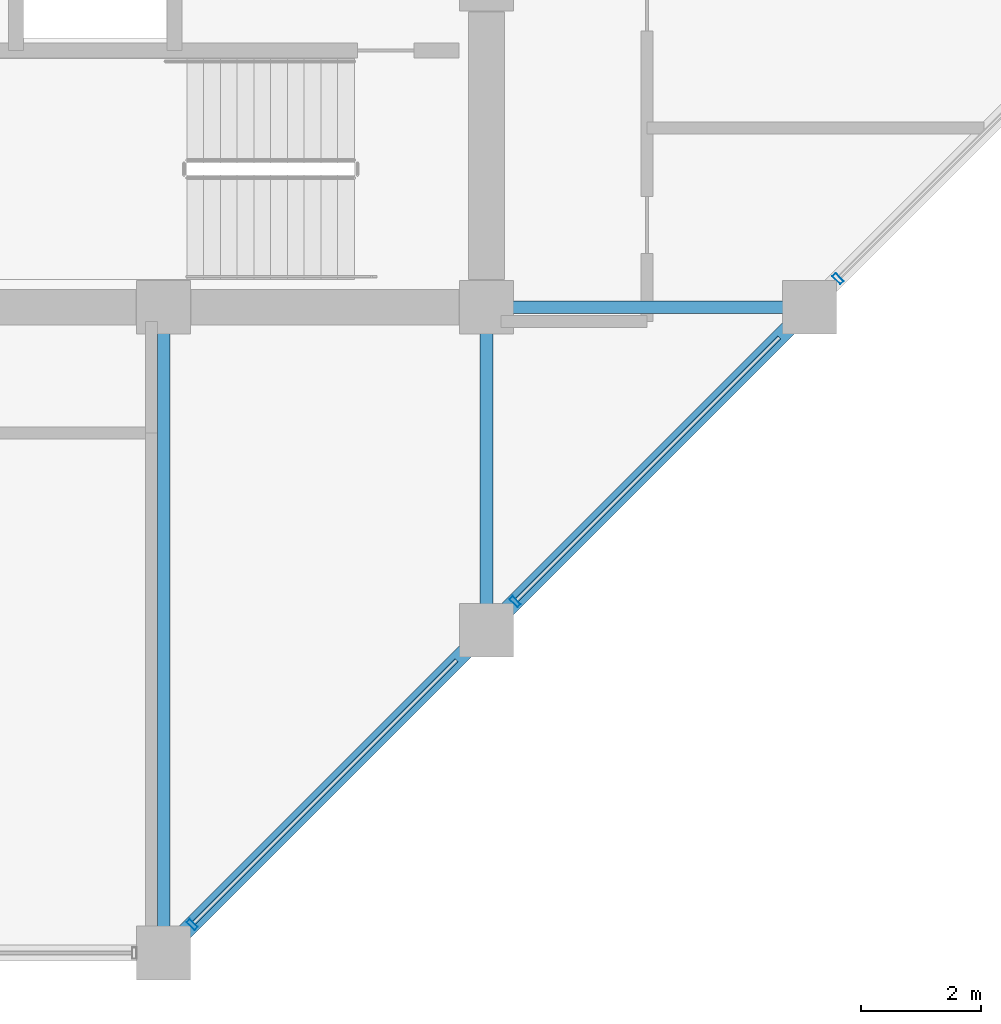
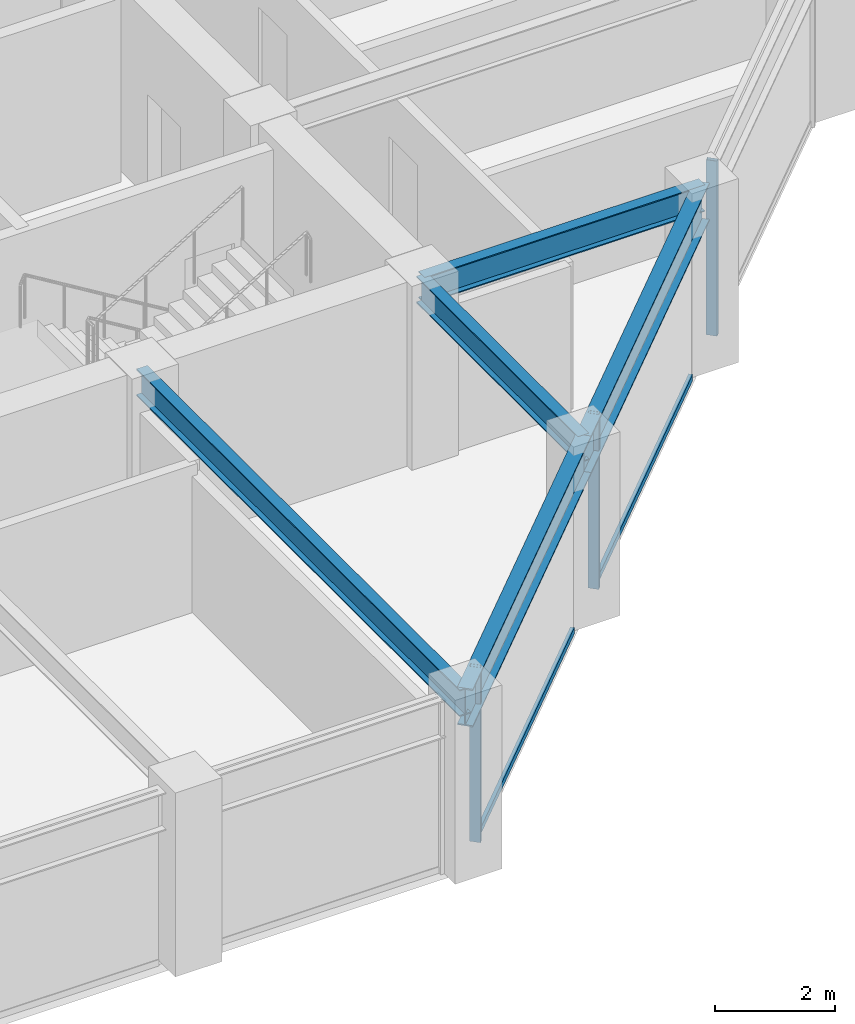
# One storey, part 12 of 32: 5 beams, 5 members, 1 element without a shape of its own.
"""IFC4 building model written with IfcOpenShell, lengths in metres."""

from ifc_helpers import new_model, si_unit, direction, frame, origin, origin_2d, place, context, subcontext, project, spatial, hollow_rectangle, i_section, extrude, material, layer, layer_set, material_profile, profile_set, type_object, element, aggregate, save


model = new_model("IFC4")

# Units and contexts
model_context = context("Model", 3, precision=1e-05, world=origin(), true_north=direction((0.0, 1.0)))
body_context = subcontext(model_context, "Body", "Model", "MODEL_VIEW")
ifc_project = project(units=[si_unit("LENGTHUNIT", "METRE"), si_unit("AREAUNIT", "SQUARE_METRE"), si_unit("VOLUMEUNIT", "CUBIC_METRE"), si_unit("PLANEANGLEUNIT", "RADIAN"), si_unit("MASSUNIT", "GRAM", prefix="KILO")], contexts=[model_context])

# Site, building, storey
site_placement = place(None, origin())
site = spatial("IfcSite", under=ifc_project, at=site_placement, CompositionType="ELEMENT")
building_placement = place(site_placement, origin())
building = spatial("IfcBuilding", under=site, at=building_placement, Name="Surkhivell Harbour Commons", CompositionType="ELEMENT")
storey_placement = place(building_placement, frame((0.0, 0.0, 212.25)))
storey = spatial("IfcBuildingStorey", under=building, at=storey_placement, Name="L55", CompositionType="ELEMENT", Elevation=212.25)

# Beams
ifc_material_1 = material(Name="Steel S355", Category="steel")
ifc_material_profile_1 = material_profile(ifc_material_1, i_section(OverallWidth=0.2119140625, OverallDepth=0.5439453125, WebThickness=0.0126953125, FlangeThickness=0.021240234375, at=origin_2d()), Name="UB533x210x122")
ifc_profile_set_1 = profile_set([ifc_material_profile_1], Name="Steel S355")
beam_type_1 = type_object("IfcBeamType", Name="BM-GRD-533A", PredefinedType="BEAM", material=ifc_profile_set_1)
beam_1_placement = place(storey_placement, frame((5.39990234375, -21.60009765625, 3.298095703125), z_axis=(0.0, 1.0, 0.0), x_axis=(-1.0, 0.0, 0.0)))
element("IfcBeam", 1, at=beam_1_placement, inside=storey, type_object=beam_type_1, Name="L55 Floor Girder (5.4,-21.6)", PredefinedType="BEAM", context=body_context, shape_type="SweptSolid", body=[
    extrude(i_section(OverallWidth=0.2119140625, OverallDepth=0.5439453125, WebThickness=0.0126953125, FlangeThickness=0.021240234375, at=origin_2d()), origin(), (0.0, 0.0, 1.0), 10.800048828125),
])
for number, where, z_axis, x_axis, name in (
    (2, (10.800048828125, -16.199951171875, 3.298095703125), (0.0, 1.0, 0.0), (-1.0, 0.0, 0.0), "L55 Floor Girder (10.8,-16.2)"),
    (3, (10.800048828125, -10.800048828125, 3.298095703125), (1.0, 0.0, 0.0), (0.0, 1.0, 0.0), "L55 Floor Girder (10.8,-10.8)"),
):
    element("IfcBeam", number, at=place(storey_placement, frame(where, z_axis=z_axis, x_axis=x_axis)), inside=storey, type_object=beam_type_1, Name=name, PredefinedType="BEAM", context=body_context, shape_type="SweptSolid", body=[
        extrude(i_section(OverallWidth=0.2119140625, OverallDepth=0.5439453125, WebThickness=0.0126953125, FlangeThickness=0.021240234375, at=origin_2d()), origin(), (0.0, 0.0, 1.0), 5.39990234375),
    ])
ifc_material_profile_2 = material_profile(ifc_material_1, i_section(OverallWidth=0.26806640625, OverallDepth=0.77001953125, WebThickness=0.015625, FlangeThickness=0.025390625, at=origin_2d()), Name="UB762x267x197")
ifc_profile_set_2 = profile_set([ifc_material_profile_2], Name="Steel S355")
beam_type_2 = type_object("IfcBeamType", Name="BM-SPN-762", PredefinedType="SPANDREL", material=ifc_profile_set_2)
beam_2_placement = place(storey_placement, frame((5.39990234375, -21.60009765625, 3.18505859375), z_axis=(0.707106781187, 0.707106781187, 0.0), x_axis=(-0.707106781187, 0.707106781187, 0.0)))
element("IfcBeam", 4, at=beam_2_placement, inside=storey, type_object=beam_type_2, Name="L55 Tube Spandrel (5.4,-21.6)", PredefinedType="SPANDREL", context=body_context, shape_type="SweptSolid", body=[
    extrude(i_section(OverallWidth=0.26806640625, OverallDepth=0.77001953125, WebThickness=0.015625, FlangeThickness=0.025390625, at=origin_2d()), origin(), (0.0, 0.0, 1.0), 7.636962890625),
])
beam_3_placement = place(storey_placement, frame((10.800048828125, -16.199951171875, 3.18505859375), z_axis=(0.707106781187, 0.707106781187, 0.0), x_axis=(-0.707106781187, 0.707106781187, 0.0)))
element("IfcBeam", 5, at=beam_3_placement, inside=storey, type_object=beam_type_2, Name="L55 Tube Spandrel (10.8,-16.2)", PredefinedType="SPANDREL", context=body_context, shape_type="SweptSolid", body=[
    extrude(i_section(OverallWidth=0.26806640625, OverallDepth=0.77001953125, WebThickness=0.015625, FlangeThickness=0.025390625, at=origin_2d()), origin(), (0.0, 0.0, 1.0), 7.63671875),
])

# Curtain wall, members
ifc_material_2 = material(Name="Anodised pale-metal aluminium and insulated glazing", Category="aluminium")
ifc_layer = layer(ifc_material_2, 0.18994140625)
ifc_layer_set = layer_set([ifc_layer], Name="Anodised pale-metal aluminium and insulated glazing")
curtain_wall_type = type_object("IfcCurtainWallType", Name="CW-SYS-Z3", PredefinedType="NOTDEFINED", material=ifc_layer_set)
curtain_wall_placement = place(storey_placement, origin())
curtain_wall = element("IfcCurtainWall", 6, at=curtain_wall_placement, inside=storey, type_object=curtain_wall_type, Name="L55 Curtain Wall CW-L55-E01", PredefinedType="NOTDEFINED")
ifc_material_3 = material(Name="Anodised pale-metal aluminium alloy 6063-T6", Category="aluminium")
ifc_material_profile_3 = material_profile(ifc_material_3, hollow_rectangle(XDim=0.074951171875, YDim=0.18994140625, WallThickness=0.00390625, at=origin_2d()), Name="ALU-MULL-75x190")
ifc_profile_set_3 = profile_set([ifc_material_profile_3], Name="Anodised pale-metal aluminium alloy 6063-T6")
member_type_1 = type_object("IfcMemberType", Name="CWM-190", PredefinedType="MULLION", material=ifc_profile_set_3)
member_1_placement = place(storey_placement, frame((5.878173828125, -21.121826171875, 0.0), z_axis=(0.0, 0.0, 1.0), x_axis=(0.707106781187, 0.707106781187, 0.0)))
member_1 = element("IfcMember", 7, at=member_1_placement, type_object=member_type_1, Name="CW-Z3 mullion 1", PredefinedType="MULLION", context=body_context, shape_type="SweptSolid", body=[
    extrude(hollow_rectangle(XDim=0.074951171875, YDim=0.18994140625, WallThickness=0.00390625, at=origin_2d()), origin(), (0.0, 0.0, 1.0), 3.570068359375),
])
member_2_placement = place(storey_placement, frame((11.278076171875, -15.721923828125, 0.0), z_axis=(0.0, 0.0, 1.0), x_axis=(0.707106781187, 0.707106781187, 0.0)))
member_2 = element("IfcMember", 8, at=member_2_placement, type_object=member_type_1, Name="CW-Z3 mullion 2", PredefinedType="MULLION", context=body_context, shape_type="SweptSolid", body=[
    extrude(hollow_rectangle(XDim=0.074951171875, YDim=0.18994140625, WallThickness=0.00390625, at=origin_2d()), origin(), (0.0, 0.0, 1.0), 3.570068359375),
])
member_3_placement = place(storey_placement, frame((16.67822265625, -10.32177734375, 0.0), z_axis=(0.0, 0.0, 1.0), x_axis=(0.707106781187, 0.707106781187, 0.0)))
member_3 = element("IfcMember", 9, at=member_3_placement, type_object=member_type_1, Name="CW-Z3 mullion 3", PredefinedType="MULLION", context=body_context, shape_type="SweptSolid", body=[
    extrude(hollow_rectangle(XDim=0.074951171875, YDim=0.18994140625, WallThickness=0.00390625, at=origin_2d()), origin(), (0.0, 0.0, 1.0), 3.570068359375),
])
ifc_material_4 = material(Name="Champagne anodised aluminium alloy 6063-T6", Category="aluminium")
ifc_material_profile_4 = material_profile(ifc_material_4, hollow_rectangle(XDim=0.070068359375, YDim=0.1298828125, WallThickness=0.00341796875, at=origin_2d()), Name="ALU-TRAN-70x130")
ifc_profile_set_4 = profile_set([ifc_material_profile_4], Name="Champagne anodised aluminium alloy 6063-T6")
member_type_2 = type_object("IfcMemberType", Name="CWT-130", PredefinedType="USERDEFINED", material=ifc_profile_set_4)
member_4_placement = place(storey_placement, frame((5.90478515625, -21.09521484375, 0.06494140625), z_axis=(0.707106781187, 0.707106781187, 0.0), x_axis=(-0.707106781187, 0.707106781187, 0.0)))
member_4 = element("IfcMember", 10, at=member_4_placement, type_object=member_type_2, Name="CW-Z3 transom 1.1", ObjectType="TRANSOM", PredefinedType="USERDEFINED", context=body_context, shape_type="SweptSolid", body=[
    extrude(hollow_rectangle(XDim=0.070068359375, YDim=0.1298828125, WallThickness=0.00341796875, at=origin_2d()), origin(), (0.0, 0.0, 1.0), 6.209228515625),
])
member_5_placement = place(storey_placement, frame((11.3046875, -15.6953125, 0.06494140625), z_axis=(0.707106781187, 0.707106781187, 0.0), x_axis=(-0.707106781187, 0.707106781187, 0.0)))
member_5 = element("IfcMember", 11, at=member_5_placement, type_object=member_type_2, Name="CW-Z3 transom 2.1", ObjectType="TRANSOM", PredefinedType="USERDEFINED", context=body_context, shape_type="SweptSolid", body=[
    extrude(hollow_rectangle(XDim=0.070068359375, YDim=0.1298828125, WallThickness=0.00341796875, at=origin_2d()), origin(), (0.0, 0.0, 1.0), 6.209228515625),
])
aggregate(curtain_wall, [member_1, member_4, member_2, member_5, member_3])

save(model, "model.ifc")
